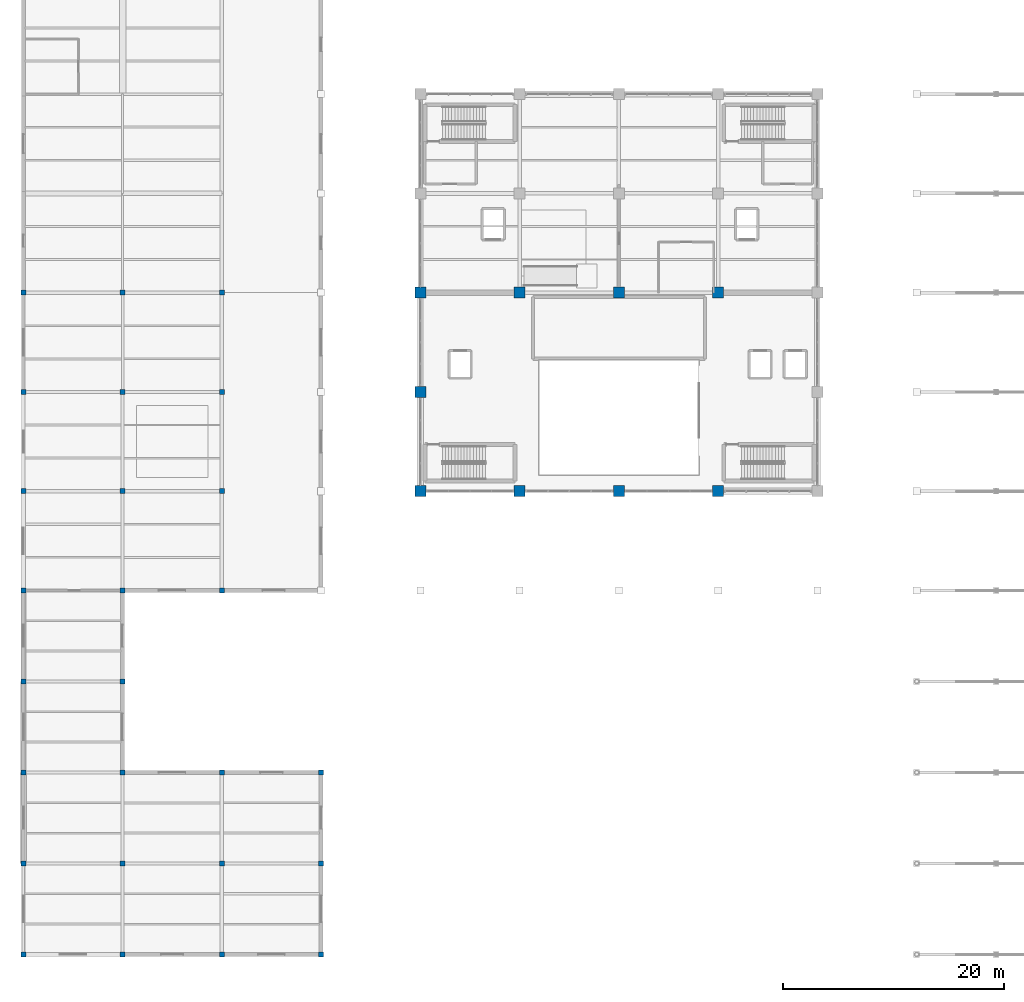
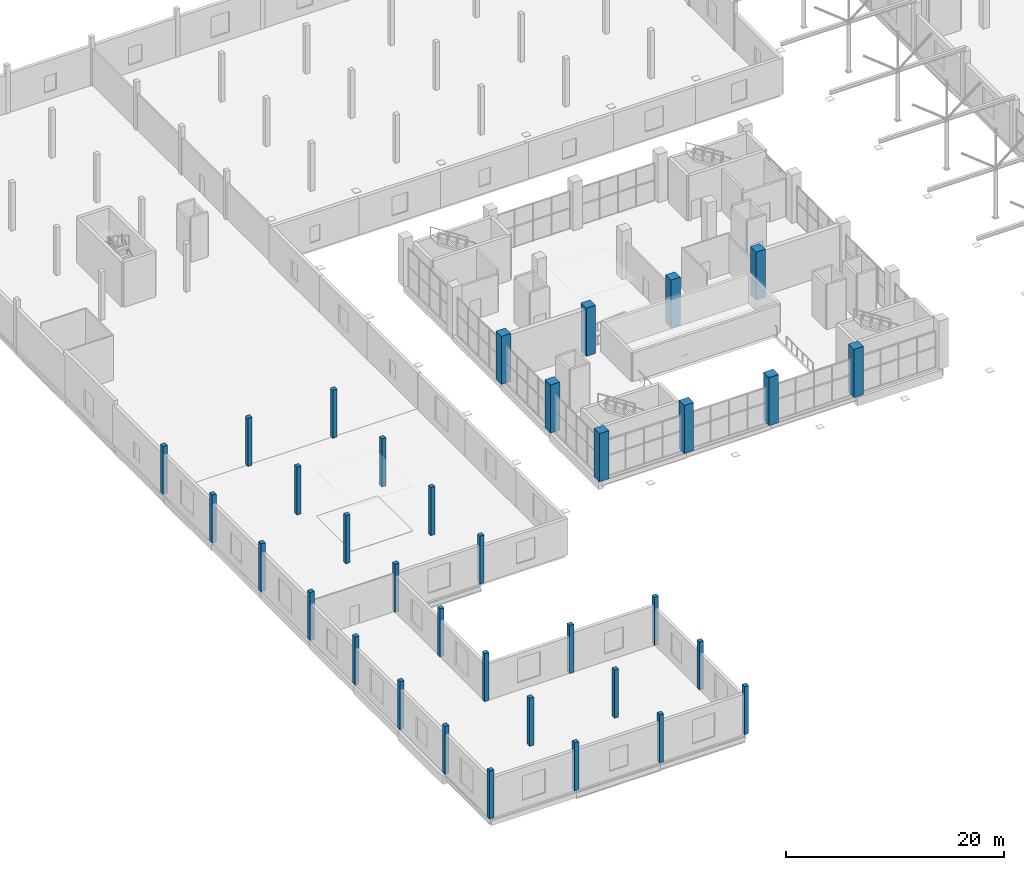
# One storey, part 1 of 147: 35 columns.
"""IFC4 building model written with IfcOpenShell, lengths in metres."""

from ifc_helpers import new_model, si_unit, direction, frame, origin, origin_2d, place, context, subcontext, project, spatial, rectangle, extrude, material, material_profile, profile_set, type_object, element, save


model = new_model("IFC4")

# Units and contexts
model_context = context("Model", 3, precision=1e-05, world=origin(), true_north=direction((0.0, 1.0)))
body_context = subcontext(model_context, "Body", "Model", "MODEL_VIEW")
ifc_project = project(units=[si_unit("LENGTHUNIT", "METRE"), si_unit("AREAUNIT", "SQUARE_METRE"), si_unit("VOLUMEUNIT", "CUBIC_METRE"), si_unit("PLANEANGLEUNIT", "RADIAN"), si_unit("MASSUNIT", "GRAM", prefix="KILO")], contexts=[model_context])

# Site, building, storey
site_placement = place(None, origin())
site = spatial("IfcSite", under=ifc_project, at=site_placement, CompositionType="ELEMENT")
building_placement = place(site_placement, origin())
building = spatial("IfcBuilding", under=site, at=building_placement, Name="Sundgate Opera House", CompositionType="ELEMENT")
storey_placement = place(building_placement, frame((0.0, 0.0, 6.0)))
storey = spatial("IfcBuildingStorey", under=building, at=storey_placement, Name="L01", CompositionType="ELEMENT", Elevation=6.0)

# Columns
ifc_material_1 = material(Name="Concrete C45/55", Category="concrete")
ifc_material_profile_1 = material_profile(ifc_material_1, rectangle(XDim=1.0, YDim=1.0, at=origin_2d()), Name="RC 1000x1000")
ifc_profile_set_1 = profile_set([ifc_material_profile_1], Name="Concrete C45/55")
column_type_1 = type_object("IfcColumnType", Name="CL-RC-1000", PredefinedType="COLUMN", material=ifc_profile_set_1)
for number, where, z_axis, x_axis, name in (
    (1, (36.0, 42.0, 0.0), (0.0, 0.0, 1.0), (1.0, 0.0, 0.0), "L01 Column C0222"),
    (2, (36.0, 51.0, 0.0), (0.0, 0.0, 1.0), (1.0, 0.0, 0.0), "L01 Column C0228"),
    (3, (36.0, 60.0, 0.0), (0.0, 0.0, 1.0), (1.0, 0.0, 0.0), "L01 Column C0234"),
    (4, (45.0, 42.0, 0.0), (0.0, 0.0, 1.0), (1.0, 0.0, 0.0), "L01 Column C0287"),
    (5, (45.0, 60.0, 0.0), (0.0, 0.0, 1.0), (1.0, 0.0, 0.0), "L01 Column C0294"),
    (6, (54.0, 42.0, 0.0), (0.0, 0.0, 1.0), (1.0, 0.0, 0.0), "L01 Column C0347"),
    (7, (54.0, 60.0, 0.0), (0.0, 0.0, 1.0), (1.0, 0.0, 0.0), "L01 Column C0354"),
    (8, (63.0, 42.0, 0.0), (0.0, 0.0, 1.0), (1.0, 0.0, 0.0), "L01 Column C0402"),
    (9, (63.0, 60.0, 0.0), (0.0, 0.0, 1.0), (1.0, 0.0, 0.0), "L01 Column C0410"),
):
    element("IfcColumn", number, at=place(storey_placement, frame(where, z_axis=z_axis, x_axis=x_axis)), inside=storey, type_object=column_type_1, Name=name, PredefinedType="COLUMN", context=body_context, shape_type="SweptSolid", body=[
        extrude(rectangle(XDim=1.0, YDim=1.0, at=origin_2d()), origin(), (0.0, 0.0, 1.0), 5.39990234375),
    ])
ifc_material_2 = material(Name="Concrete C35/45", Category="concrete")
ifc_material_profile_2 = material_profile(ifc_material_2, rectangle(XDim=0.449951171875, YDim=0.449951171875, at=origin_2d()), Name="RC 450x450")
ifc_profile_set_2 = profile_set([ifc_material_profile_2], Name="Concrete C35/45")
column_type_2 = type_object("IfcColumnType", Name="CL-RC-450", PredefinedType="COLUMN", material=ifc_profile_set_2)
for number, where, z_axis, x_axis, name in (
    (10, (0.0, 0.0, 0.0), (0.0, 0.0, 1.0), (1.0, 0.0, 0.0), "L01 Column C0003"),
    (11, (0.0, 8.25, 0.0), (0.0, 0.0, 1.0), (1.0, 0.0, 0.0), "L01 Column C0006"),
    (12, (0.0, 16.5, 0.0), (0.0, 0.0, 1.0), (1.0, 0.0, 0.0), "L01 Column C0009"),
    (13, (0.0, 24.75, 0.0), (0.0, 0.0, 1.0), (1.0, 0.0, 0.0), "L01 Column C0012"),
    (14, (0.0, 33.0, 0.0), (0.0, 0.0, 1.0), (1.0, 0.0, 0.0), "L01 Column C0015"),
    (15, (0.0, 42.0, 0.0), (0.0, 0.0, 1.0), (1.0, 0.0, 0.0), "L01 Column C0018"),
    (16, (0.0, 51.0, 0.0), (0.0, 0.0, 1.0), (1.0, 0.0, 0.0), "L01 Column C0021"),
    (17, (0.0, 60.0, 0.0), (0.0, 0.0, 1.0), (1.0, 0.0, 0.0), "L01 Column C0024"),
    (18, (9.0, 0.0, 0.0), (0.0, 0.0, 1.0), (1.0, 0.0, 0.0), "L01 Column C0051"),
    (19, (9.0, 8.25, 0.0), (0.0, 0.0, 1.0), (1.0, 0.0, 0.0), "L01 Column C0054"),
    (20, (9.0, 16.5, 0.0), (0.0, 0.0, 1.0), (1.0, 0.0, 0.0), "L01 Column C0057"),
    (21, (9.0, 24.75, 0.0), (0.0, 0.0, 1.0), (1.0, 0.0, 0.0), "L01 Column C0060"),
    (22, (9.0, 33.0, 0.0), (0.0, 0.0, 1.0), (1.0, 0.0, 0.0), "L01 Column C0063"),
    (23, (9.0, 42.0, 0.0), (0.0, 0.0, 1.0), (1.0, 0.0, 0.0), "L01 Column C0066"),
    (24, (9.0, 51.0, 0.0), (0.0, 0.0, 1.0), (1.0, 0.0, 0.0), "L01 Column C0069"),
    (25, (9.0, 60.0, 0.0), (0.0, 0.0, 1.0), (1.0, 0.0, 0.0), "L01 Column C0072"),
    (26, (18.0, 0.0, 0.0), (0.0, 0.0, 1.0), (1.0, 0.0, 0.0), "L01 Column C0103"),
    (27, (18.0, 8.25, 0.0), (0.0, 0.0, 1.0), (1.0, 0.0, 0.0), "L01 Column C0106"),
    (28, (18.0, 16.5, 0.0), (0.0, 0.0, 1.0), (1.0, 0.0, 0.0), "L01 Column C0109"),
    (29, (18.0, 33.0, 0.0), (0.0, 0.0, 1.0), (1.0, 0.0, 0.0), "L01 Column C0112"),
    (30, (18.0, 42.0, 0.0), (0.0, 0.0, 1.0), (1.0, 0.0, 0.0), "L01 Column C0115"),
    (31, (18.0, 51.0, 0.0), (0.0, 0.0, 1.0), (1.0, 0.0, 0.0), "L01 Column C0118"),
    (32, (18.0, 60.0, 0.0), (0.0, 0.0, 1.0), (1.0, 0.0, 0.0), "L01 Column C0121"),
    (33, (27.0, 0.0, 0.0), (0.0, 0.0, 1.0), (1.0, 0.0, 0.0), "L01 Column C0151"),
    (34, (27.0, 8.25, 0.0), (0.0, 0.0, 1.0), (1.0, 0.0, 0.0), "L01 Column C0154"),
    (35, (27.0, 16.5, 0.0), (0.0, 0.0, 1.0), (1.0, 0.0, 0.0), "L01 Column C0157"),
):
    element("IfcColumn", number, at=place(storey_placement, frame(where, z_axis=z_axis, x_axis=x_axis)), inside=storey, type_object=column_type_2, Name=name, PredefinedType="COLUMN", context=body_context, shape_type="SweptSolid", body=[
        extrude(rectangle(XDim=0.449951171875, YDim=0.449951171875, at=origin_2d()), origin(), (0.0, 0.0, 1.0), 5.39990234375),
    ])

save(model, "model.ifc")
